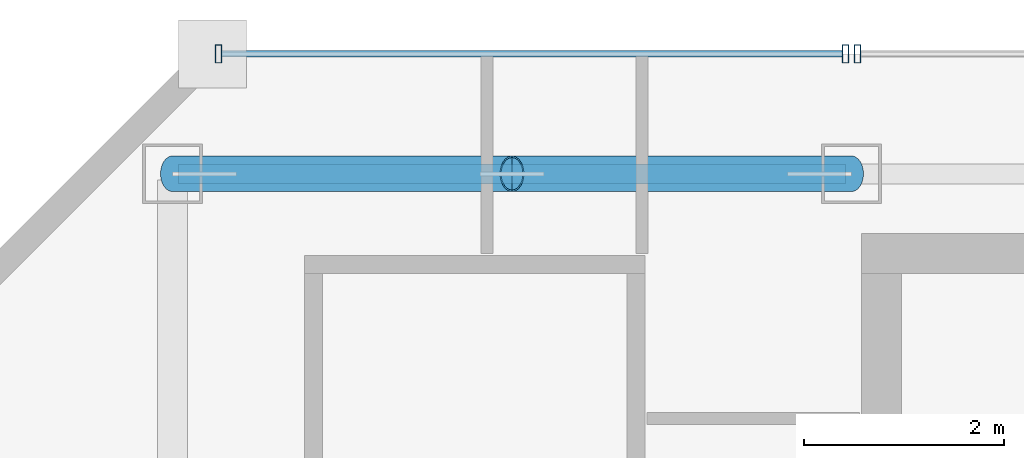
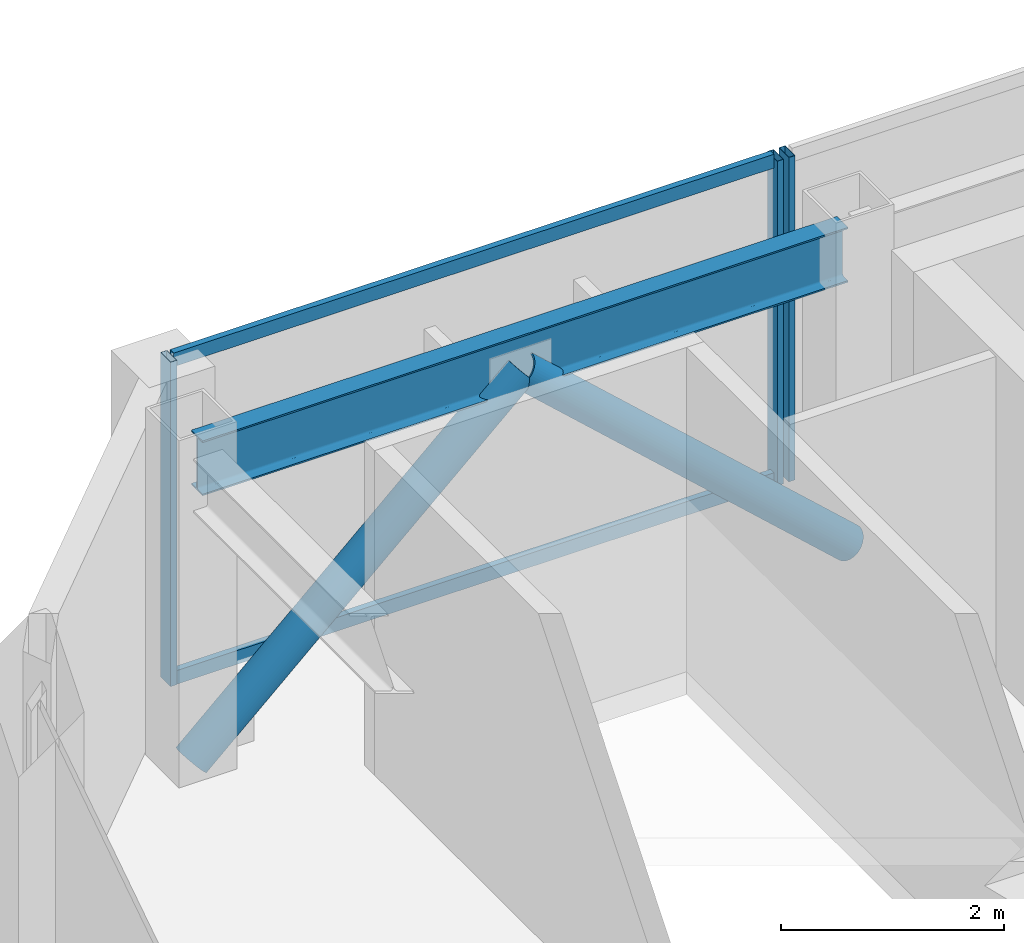
# One storey, part 20 of 32: 7 members, 1 beam, 2 elements without a shape of their own.
"""IFC4 building model written with IfcOpenShell, lengths in metres."""

from ifc_helpers import new_model, si_unit, direction, frame, origin, origin_2d, place, context, subcontext, project, spatial, hollow_rectangle, hollow_circle, i_section, extrude, material, material_profile, profile_set, type_object, element, aggregate, save


model = new_model("IFC4")

# Units and contexts
model_context = context("Model", 3, precision=1e-05, world=origin(), true_north=direction((0.0, 1.0)))
body_context = subcontext(model_context, "Body", "Model", "MODEL_VIEW")
ifc_project = project(units=[si_unit("LENGTHUNIT", "METRE"), si_unit("AREAUNIT", "SQUARE_METRE"), si_unit("VOLUMEUNIT", "CUBIC_METRE"), si_unit("PLANEANGLEUNIT", "RADIAN"), si_unit("MASSUNIT", "GRAM", prefix="KILO")], contexts=[model_context])

# Site, building, storey
site_placement = place(None, origin())
site = spatial("IfcSite", under=ifc_project, at=site_placement, CompositionType="ELEMENT")
building_placement = place(site_placement, origin())
building = spatial("IfcBuilding", under=site, at=building_placement, Name="Saevonmaru Cultural Tower", CompositionType="ELEMENT")
storey_placement = place(building_placement, frame((0.0, 0.0, 261.0)))
storey = spatial("IfcBuildingStorey", under=building, at=storey_placement, Name="L61", CompositionType="ELEMENT", Elevation=261.0)

# Beam
ifc_material_1 = material(Name="Steel SM355", Category="steel")
ifc_material_profile_1 = material_profile(ifc_material_1, i_section(OverallWidth=0.199951171875, OverallDepth=0.60009765625, WebThickness=0.010986328125, FlangeThickness=0.01708984375, FilletRadius=0.02197265625, at=origin_2d()), Name="H-600x200x11x17")
ifc_profile_set_1 = profile_set([ifc_material_profile_1], Name="Steel SM355")
beam_type = type_object("IfcBeamType", Name="BM-SP-H600", PredefinedType="SPANDREL", material=ifc_profile_set_1)
beam_placement = place(storey_placement, frame((6.860107421875, 54.800048828125, 3.25), z_axis=(1.0, 0.0, 0.0), x_axis=(0.0, 1.0, 0.0)))
element("IfcBeam", 1, at=beam_placement, inside=storey, type_object=beam_type, Name="L61 North Spine Girder 1", PredefinedType="SPANDREL", context=body_context, shape_type="SweptSolid", body=[
    extrude(i_section(OverallWidth=0.199951171875, OverallDepth=0.60009765625, WebThickness=0.010986328125, FlangeThickness=0.01708984375, FilletRadius=0.02197265625, at=origin_2d()), origin(), (0.0, 0.0, 1.0), 6.679931640625),
])

# Members
ifc_material_profile_2 = material_profile(ifc_material_1, hollow_circle(Radius=0.177734375, WallThickness=0.01611328125, at=origin_2d()), Name="CHS-355.6x16")
ifc_profile_set_2 = profile_set([ifc_material_profile_2], Name="Steel SM355")
member_type_1 = type_object("IfcMemberType", Name="MB-PBR-CHS356", PredefinedType="BRACE", material=ifc_profile_set_2)
member_1_placement = place(storey_placement, frame((6.800048828125, 54.800048828125, 0.02001953125), z_axis=(0.738935641579, 0.0, 0.673776014417), x_axis=(0.0, 1.0, 0.0)))
element("IfcMember", 2, at=member_1_placement, inside=storey, type_object=member_type_1, Name="L61 Perimeter Braced-Tube Diagonal WN1", PredefinedType="BRACE", context=body_context, shape_type="SweptSolid", body=[
    extrude(hollow_circle(Radius=0.177734375, WallThickness=0.01611328125, at=origin_2d()), origin(), (0.0, 0.0, 1.0), 4.60107421875),
])
member_2_placement = place(storey_placement, frame((13.60009765625, 54.800048828125, 0.02001953125), z_axis=(-0.738959728749, 0.0, 0.673749596873), x_axis=(0.0, -1.0, 0.0)))
element("IfcMember", 3, at=member_2_placement, inside=storey, type_object=member_type_1, Name="L61 Perimeter Braced-Tube Diagonal WN2", PredefinedType="BRACE", context=body_context, shape_type="SweptSolid", body=[
    extrude(hollow_circle(Radius=0.177734375, WallThickness=0.01611328125, at=origin_2d()), origin(), (0.0, 0.0, 1.0), 4.601318359375),
])

# Curtain wall, member
ifc_material_2 = material(Name="Satin Bronze Anodised Aluminium", Category="aluminium")
curtain_wall_type = type_object("IfcCurtainWallType", Name="CW-TYP-B", PredefinedType="NOTDEFINED", material=ifc_material_2)
curtain_wall_1_placement = place(storey_placement, origin())
curtain_wall_1 = element("IfcCurtainWall", 4, at=curtain_wall_1_placement, inside=storey, type_object=curtain_wall_type, Name="L61 North Spine Unitised Curtain Wall E10B", PredefinedType="NOTDEFINED")
ifc_material_profile_3 = material_profile(ifc_material_2, hollow_rectangle(XDim=0.06494140625, YDim=0.179931640625, WallThickness=0.00390625, at=origin_2d()), Name="ALU-MULL-180x65x4")
ifc_profile_set_3 = profile_set([ifc_material_profile_3], Name="Satin Bronze Anodised Aluminium")
member_type_2 = type_object("IfcMemberType", Name="ML-CW-180x65", PredefinedType="MULLION", material=ifc_profile_set_3)
member_3_placement = place(storey_placement, frame((13.659912109375, 56.0, 0.0), z_axis=(0.0, 0.0, 1.0), x_axis=(-1.0, 0.0, 0.0)))
member_3 = element("IfcMember", 5, at=member_3_placement, type_object=member_type_2, Name="CW-TW-L61-E10B mullion 4", PredefinedType="MULLION", context=body_context, shape_type="SweptSolid", body=[
    extrude(hollow_rectangle(XDim=0.06494140625, YDim=0.179931640625, WallThickness=0.00390625, at=origin_2d()), origin(), (0.0, 0.0, 1.0), 3.550048828125),
])
aggregate(curtain_wall_1, [member_3])

# Curtain wall, members
curtain_wall_2_placement = place(storey_placement, origin())
curtain_wall_2 = element("IfcCurtainWall", 6, at=curtain_wall_2_placement, inside=storey, type_object=curtain_wall_type, Name="L61 West Braced Bay Spandrel Curtain Wall E10C", PredefinedType="NOTDEFINED")
member_4_placement = place(storey_placement, frame((13.5400390625, 56.0, 0.0), z_axis=(0.0, 0.0, 1.0), x_axis=(-1.0, 0.0, 0.0)))
member_4 = element("IfcMember", 7, at=member_4_placement, type_object=member_type_2, Name="CW-TW-L61-E10C mullion 1", PredefinedType="MULLION", context=body_context, shape_type="SweptSolid", body=[
    extrude(hollow_rectangle(XDim=0.06494140625, YDim=0.179931640625, WallThickness=0.00390625, at=origin_2d()), origin(), (0.0, 0.0, 1.0), 3.550048828125),
])
member_5_placement = place(storey_placement, frame((7.260009765625, 56.0, 0.0), z_axis=(0.0, 0.0, 1.0), x_axis=(-1.0, 0.0, 0.0)))
member_5 = element("IfcMember", 8, at=member_5_placement, type_object=member_type_2, Name="CW-TW-L61-E10C mullion 2", PredefinedType="MULLION", context=body_context, shape_type="SweptSolid", body=[
    extrude(hollow_rectangle(XDim=0.06494140625, YDim=0.179931640625, WallThickness=0.00390625, at=origin_2d()), origin(), (0.0, 0.0, 1.0), 3.550048828125),
])
ifc_material_profile_4 = material_profile(ifc_material_2, hollow_rectangle(XDim=0.06494140625, YDim=0.14990234375, WallThickness=0.00390625, at=origin_2d()), Name="ALU-TRAN-150x65x4")
ifc_profile_set_4 = profile_set([ifc_material_profile_4], Name="Satin Bronze Anodised Aluminium")
member_type_3 = type_object("IfcMemberType", Name="TR-CW-150x65", PredefinedType="USERDEFINED", material=ifc_profile_set_4)
member_6_placement = place(storey_placement, frame((13.507568359375, 56.0, 0.032470703125), z_axis=(-1.0, 0.0, 0.0), x_axis=(0.0, -1.0, 0.0)))
member_6 = element("IfcMember", 9, at=member_6_placement, type_object=member_type_3, Name="CW-TW-L61-E10C transom 1.1", ObjectType="TRANSOM", PredefinedType="USERDEFINED", context=body_context, shape_type="SweptSolid", body=[
    extrude(hollow_rectangle(XDim=0.06494140625, YDim=0.14990234375, WallThickness=0.00390625, at=origin_2d()), origin(), (0.0, 0.0, 1.0), 6.215087890625),
])
member_7_placement = place(storey_placement, frame((13.507568359375, 56.0, 3.517578125), z_axis=(-1.0, 0.0, 0.0), x_axis=(0.0, -1.0, 0.0)))
member_7 = element("IfcMember", 10, at=member_7_placement, type_object=member_type_3, Name="CW-TW-L61-E10C transom 1.2", ObjectType="TRANSOM", PredefinedType="USERDEFINED", context=body_context, shape_type="SweptSolid", body=[
    extrude(hollow_rectangle(XDim=0.06494140625, YDim=0.14990234375, WallThickness=0.00390625, at=origin_2d()), origin(), (0.0, 0.0, 1.0), 6.215087890625),
])
aggregate(curtain_wall_2, [member_4, member_5, member_6, member_7])

save(model, "model.ifc")
